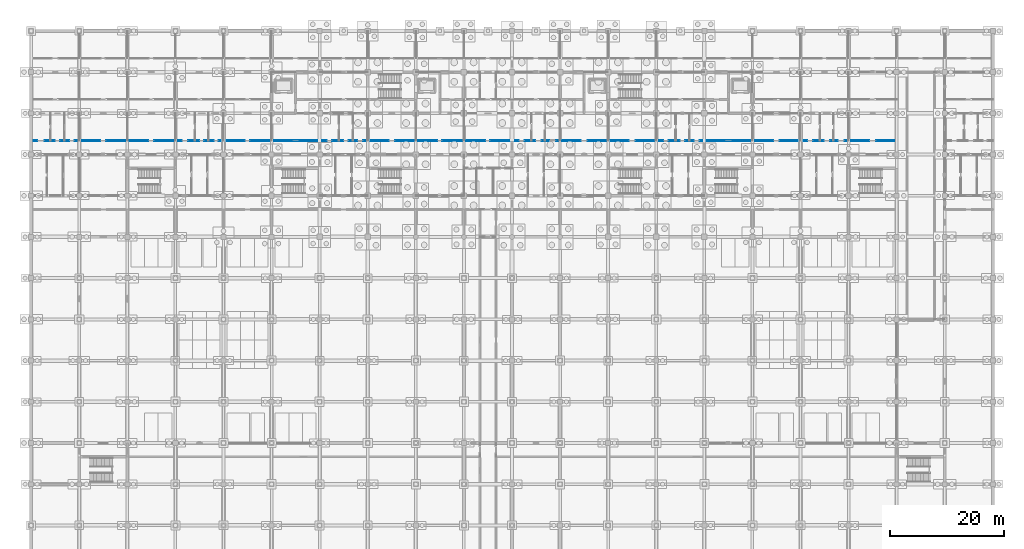
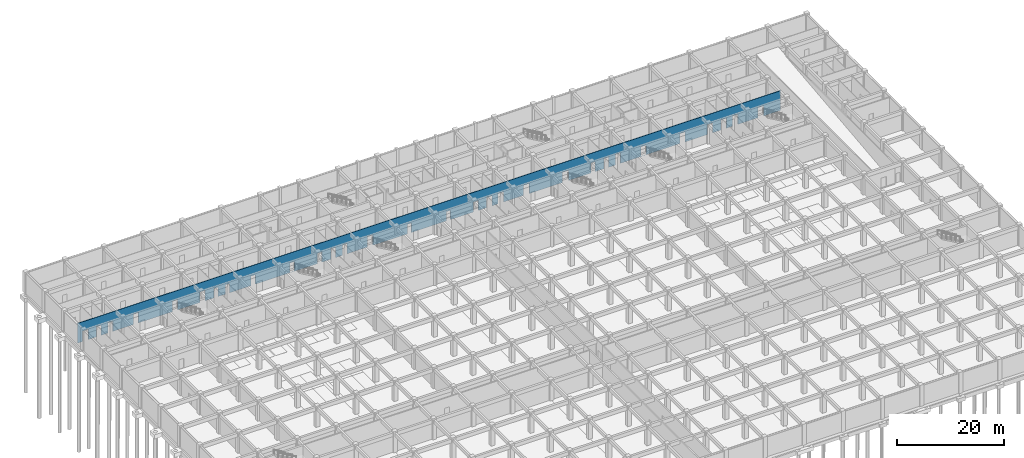
# One storey, part 40 of 85: 1 wall, 30 openings.
"""IFC4 building model written with IfcOpenShell, lengths in metres."""

import ifcopenshell
import ifcopenshell.guid

model = None  # the IFC model being written
_history = None  # IfcOwnerHistory: only IFC2X3 demands one
_inside = {}  # id of a spatial element -> (the spatial element, [elements in it])
_under = {}  # id of a project, library or spatial element -> (it, [spatial elements below it])
_declared = {}  # id of a project -> (the project, [libraries it declares])
_typed = {}  # id of a type object -> (the type object, [elements of that type])
_made_of = {}  # id of a material, layer set ... -> (it, [elements and type objects made of it])


def new_model(schema):
    """Start an empty IFC model of exactly this schema.

    Asked for "IFC4X3", IfcOpenShell would pick the latest addendum, in which some entities
    have other attributes; the version numbers below select the first issue.
    IFC2X3 requires an IfcOwnerHistory on every rooted entity: one is made here for all.
    """
    global model, _history
    if schema == "IFC4X3":
        model = ifcopenshell.file(schema_version=(4, 3, 0, 0))
    else:
        model = ifcopenshell.file(schema=schema)
    _inside.clear()
    _under.clear()
    _declared.clear()
    _typed.clear()
    _made_of.clear()
    _history = None
    if model.schema == "IFC2X3":
        org = make("IfcOrganization", Name="unknown")
        user = make(
            "IfcPersonAndOrganization",
            ThePerson=make("IfcPerson", FamilyName="unknown"),
            TheOrganization=org,
        )
        app = make(
            "IfcApplication",
            ApplicationDeveloper=org,
            Version="unknown",
            ApplicationFullName="unknown",
            ApplicationIdentifier="unknown",
        )
        _history = make(
            "IfcOwnerHistory",
            OwningUser=user,
            OwningApplication=app,
            ChangeAction="ADDED",
            CreationDate=0,
        )
    return model


def make(cls, **values):
    """One entity of the class cls with the attributes given. An attribute that is None is left unset."""
    return model.create_entity(
        cls, **{name: value for name, value in values.items() if value is not None}
    )


def rooted(cls, **values):
    """An entity with a GlobalId (a new one), such as an element, a storey or a relation."""
    return make(cls, GlobalId=ifcopenshell.guid.new(), OwnerHistory=_history, **values)


def si_unit(unit_type, name, prefix=None):
    """IfcSIUnit, for example si_unit("LENGTHUNIT", "METRE", prefix="MILLI")."""
    return make("IfcSIUnit", UnitType=unit_type, Prefix=prefix, Name=name)


def assignment(units):
    """IfcUnitAssignment: the units of a project."""
    return None if units is None else make("IfcUnitAssignment", Units=units)


def point(xyz):
    """IfcCartesianPoint."""
    return None if xyz is None else make("IfcCartesianPoint", Coordinates=xyz)


def direction(xyz):
    """IfcDirection."""
    return None if xyz is None else make("IfcDirection", DirectionRatios=xyz)


def frame(location, z_axis=None, x_axis=None):
    """IfcAxis2Placement3D, a coordinate frame: its origin and axes. An axis left out is left unset."""
    return make(
        "IfcAxis2Placement3D",
        Location=point(location),
        Axis=direction(z_axis),
        RefDirection=direction(x_axis),
    )


def frame_2d(location, x_axis=None):
    """IfcAxis2Placement2D, a coordinate frame in the plane: its origin and x axis."""
    return make(
        "IfcAxis2Placement2D", Location=point(location), RefDirection=direction(x_axis)
    )


def origin():
    """The frame at (0, 0, 0) with its axes left unset."""
    return frame((0.0, 0.0, 0.0))


def place(relative_to, where):
    """IfcLocalPlacement: puts the frame where relative to a parent placement (None: the world)."""
    return make(
        "IfcLocalPlacement", PlacementRelTo=relative_to, RelativePlacement=where
    )


def context(
    kind, dimensions, precision=None, world=None, true_north=None, identifier=None
):
    """IfcGeometricRepresentationContext, for example the 3D "Model" context."""
    return make(
        "IfcGeometricRepresentationContext",
        ContextIdentifier=identifier,
        ContextType=kind,
        CoordinateSpaceDimension=dimensions,
        Precision=precision,
        WorldCoordinateSystem=world,
        TrueNorth=true_north,
    )


def subcontext(parent, identifier, kind, view, scale=None):
    """IfcGeometricRepresentationSubContext, for example "Body" below "Model"."""
    return make(
        "IfcGeometricRepresentationSubContext",
        ContextIdentifier=identifier,
        ContextType=kind,
        ParentContext=parent,
        TargetScale=scale,
        TargetView=view,
    )


def project(units=None, contexts=None):
    """IfcProject with its units and contexts."""
    return rooted(
        "IfcProject",
        Name="project",
        RepresentationContexts=contexts,
        UnitsInContext=assignment(units),
    )


def spatial(cls, under=None, at=None, **own):
    """A site, building, storey or space (cls), placed at a placement, below another one or the project."""
    s = rooted(cls, ObjectPlacement=at, **own)
    if under is not None:
        _under.setdefault(under.id(), (under, []))[1].append(s)
    return s


def profile(cls, at=None, kind="AREA", **sizes):
    """A parametric profile (cls). Its sizes go by their IFC names, for example OverallWidth=200.0."""
    return make(cls, ProfileType=kind, Position=at, **sizes)


def rectangle(**sizes):
    """IfcRectangleProfileDef."""
    return profile("IfcRectangleProfileDef", **sizes)


def extrude(swept, where, along, depth):
    """IfcExtrudedAreaSolid: the profile swept, set in the frame where, extruded along a direction by depth."""
    return make(
        "IfcExtrudedAreaSolid",
        SweptArea=swept,
        Position=where,
        ExtrudedDirection=direction(along),
        Depth=depth,
    )


def shape(context_of_items, identifier, shape_type, items):
    """IfcShapeRepresentation: the items that make up one representation, for example the "Body"."""
    return make(
        "IfcShapeRepresentation",
        ContextOfItems=context_of_items,
        RepresentationIdentifier=identifier,
        RepresentationType=shape_type,
        Items=items,
    )


def material(Name=None, Category=None):
    """IfcMaterial."""
    return make("IfcMaterial", Name=Name, Category=Category)


def layer(
    of_material, thickness, ventilated=None, Name=None, Category=None, Priority=None
):
    """IfcMaterialLayer: one layer of a wall or slab, of a material (None: an air gap)."""
    return make(
        "IfcMaterialLayer",
        Material=of_material,
        LayerThickness=thickness,
        IsVentilated=ventilated,
        Name=Name,
        Category=Category,
        Priority=Priority,
    )


def layer_set(layers, Name=None):
    """IfcMaterialLayerSet."""
    return make("IfcMaterialLayerSet", MaterialLayers=layers, LayerSetName=Name)


def made_of(thing, what):
    """Note that an element or type object is made of a material, layer set ...; save() writes the relation."""
    if what is not None:
        _made_of.setdefault(what.id(), (what, []))[1].append(thing)
    return thing


def type_object(cls, material=None, **own):
    """A type object (cls), such as IfcWallType, which elements share."""
    return made_of(rooted(cls, **own), material)


def element(
    cls,
    number,
    at=None,
    inside=None,
    cuts=None,
    type_object=None,
    material=None,
    context=None,
    identifier="Body",
    shape_type=None,
    held_by="IfcProductDefinitionShape",
    body=None,
    shapes=None,
    **own,
):
    """One element of the class cls, such as IfcWall. Its Tag is "e" and its number.

    at: its placement. inside: the storey or other place that contains it. cuts: it is an
    opening in that element (IfcRelVoidsElement). A single representation is given by context,
    identifier, shape_type and body (its items); several are given by shapes. held_by: the class
    of the entity that holds the representations. save() writes the other relations.
    """
    e = rooted(cls, Tag="e%d" % number, ObjectPlacement=at, **own)
    if body is not None:
        shapes = [shape(context, identifier, shape_type, body)]
    if shapes is not None:
        e.Representation = make(held_by, Representations=shapes)
    if inside is not None:
        _inside.setdefault(inside.id(), (inside, []))[1].append(e)
    if cuts is not None:
        rooted(
            "IfcRelVoidsElement", RelatingBuildingElement=cuts, RelatedOpeningElement=e
        )
    if type_object is not None:
        _typed.setdefault(type_object.id(), (type_object, []))[1].append(e)
    return made_of(e, material)


def aggregate(whole, parts):
    """IfcRelAggregates: a whole, such as a stair, and the parts it consists of."""
    return rooted("IfcRelAggregates", RelatingObject=whole, RelatedObjects=parts)


def save(model, path):
    """Write the relations noted so far, then the file.

    IfcRelAggregates (storeys below a building ...), IfcRelContainedInSpatialStructure (elements
    in a storey), IfcRelDefinesByType, IfcRelAssociatesMaterial and IfcRelDeclares: one each for
    every whole, place, type object, material and project.
    """
    for whole, parts in _under.values():
        aggregate(whole, parts)
    for where, things in _inside.values():
        rooted(
            "IfcRelContainedInSpatialStructure",
            RelatedElements=things,
            RelatingStructure=where,
        )
    for kind, things in _typed.values():
        rooted("IfcRelDefinesByType", RelatedObjects=things, RelatingType=kind)
    for what, things in _made_of.values():
        rooted("IfcRelAssociatesMaterial", RelatedObjects=things, RelatingMaterial=what)
    for by, libraries in _declared.values():
        rooted("IfcRelDeclares", RelatingContext=by, RelatedDefinitions=libraries)
    model.write(path)


model = new_model("IFC4")

# Units and contexts
model_context = context("Model", 3, precision=1e-05, world=origin(), true_north=direction((0.0, 1.0)))
body_context = subcontext(model_context, "Body", "Model", "MODEL_VIEW")
ifc_project = project(units=[si_unit("LENGTHUNIT", "METRE"), si_unit("AREAUNIT", "SQUARE_METRE"), si_unit("VOLUMEUNIT", "CUBIC_METRE"), si_unit("PLANEANGLEUNIT", "RADIAN"), si_unit("MASSUNIT", "GRAM", prefix="KILO")], contexts=[model_context])

# Site, building, storey
site_placement = place(None, origin())
site = spatial("IfcSite", under=ifc_project, at=site_placement, CompositionType="ELEMENT")
building_placement = place(site_placement, origin())
building = spatial("IfcBuilding", under=site, at=building_placement, Name="Chengyuan Square Courthouse", CompositionType="ELEMENT")
storey_placement = place(building_placement, frame((0.0, 0.0, -10.199951171875)))
storey = spatial("IfcBuildingStorey", under=building, at=storey_placement, Name="B02", CompositionType="ELEMENT", Elevation=-10.199951171875)

# Wall, openings
ifc_material = material(Name="Gypsum Plasterboard Acoustic Stud Partition")
ifc_layer = layer(ifc_material, 0.10009765625)
ifc_layer_set = layer_set([ifc_layer], Name="Gypsum Plasterboard Acoustic Stud Partition")
wall_type = type_object("IfcWallType", Name="WL-PT6", PredefinedType="STANDARD", material=ifc_layer_set)
wall_placement = place(storey_placement, frame((0.0400390625, 96.0, 0.0), z_axis=(0.0, 0.0, 1.0), x_axis=(1.0, 0.0, 0.0)))
wall = element("IfcWall", 1, at=wall_placement, inside=storey, type_object=wall_type, Name="Interior Wall WL-B02-I062", PredefinedType="STANDARD", context=body_context, shape_type="SweptSolid", body=[
    extrude(rectangle(XDim=151.159912109375, YDim=0.10009765625, at=frame_2d((75.580078125, 0.0))), origin(), (0.0, 0.0, 1.0), 4.47998046875),
])
opening_1_placement = place(wall_placement, frame((1.0400390625, 0.0, 0.0)))
element("IfcOpeningElement", 2, at=opening_1_placement, cuts=wall, Name="Opening DR-148", PredefinedType="OPENING", context=body_context, shape_type="SweptSolid", body=[
    extrude(rectangle(XDim=1.280029296875, YDim=2.35009765625, at=frame_2d((0.64013671875, 1.175048828125))), frame((0.0, 0.06201171875, 0.0), z_axis=(0.0, -1.0, 0.0), x_axis=(1.0, 0.0, 0.0)), (0.0, 0.0, 1.0), 0.1240234375),
])
opening_2_placement = place(wall_placement, frame((4.090087890625, 0.0, 0.0)))
element("IfcOpeningElement", 3, at=opening_2_placement, cuts=wall, Name="Opening DR-149", PredefinedType="OPENING", context=body_context, shape_type="SweptSolid", body=[
    extrude(rectangle(XDim=0.93994140625, YDim=2.300048828125, at=frame_2d((0.469970703125, 1.14990234375))), frame((0.0, 0.06201171875, 0.0), z_axis=(0.0, -1.0, 0.0), x_axis=(1.0, 0.0, 0.0)), (0.0, 0.0, 1.0), 0.1240234375),
])
opening_3_placement = place(wall_placement, frame((6.570068359375, 0.0, 0.0)))
element("IfcOpeningElement", 4, at=opening_3_placement, cuts=wall, Name="Opening DR-150", PredefinedType="OPENING", context=body_context, shape_type="SweptSolid", body=[
    extrude(rectangle(XDim=0.97998046875, YDim=2.35009765625, at=frame_2d((0.489990234375, 1.175048828125))), frame((0.0, 0.06201171875, 0.0), z_axis=(0.0, -1.0, 0.0), x_axis=(1.0, 0.0, 0.0)), (0.0, 0.0, 1.0), 0.1240234375),
])
opening_4_placement = place(wall_placement, frame((12.050048828125, 0.0, 0.0)))
element("IfcOpeningElement", 5, at=opening_4_placement, cuts=wall, Name="Opening DR-151", PredefinedType="OPENING", context=body_context, shape_type="SweptSolid", body=[
    extrude(rectangle(XDim=1.02001953125, YDim=2.39990234375, at=frame_2d((0.510009765625, 1.199951171875))), frame((0.0, 0.06201171875, 0.0), z_axis=(0.0, -1.0, 0.0), x_axis=(1.0, 0.0, 0.0)), (0.0, 0.0, 1.0), 0.1240234375),
])
opening_5_placement = place(wall_placement, frame((20.429931640625, 0.0, 0.0)))
element("IfcOpeningElement", 6, at=opening_5_placement, cuts=wall, Name="Opening DR-152", PredefinedType="OPENING", context=body_context, shape_type="SweptSolid", body=[
    extrude(rectangle(XDim=1.06005859375, YDim=2.39990234375, at=frame_2d((0.530029296875, 1.199951171875))), frame((0.0, 0.06201171875, 0.0), z_axis=(0.0, -1.0, 0.0), x_axis=(1.0, 0.0, 0.0)), (0.0, 0.0, 1.0), 0.1240234375),
])
opening_6_placement = place(wall_placement, frame((26.2900390625, 0.0, 0.0)))
element("IfcOpeningElement", 7, at=opening_6_placement, cuts=wall, Name="Opening DR-153", PredefinedType="OPENING", context=body_context, shape_type="SweptSolid", body=[
    extrude(rectangle(XDim=1.139892578125, YDim=2.39990234375, at=frame_2d((0.56982421875, 1.199951171875))), frame((0.0, 0.06201171875, 0.0), z_axis=(0.0, -1.0, 0.0), x_axis=(1.0, 0.0, 0.0)), (0.0, 0.0, 1.0), 0.1240234375),
])
opening_7_placement = place(wall_placement, frame((29.31005859375, 0.0, 0.0)))
element("IfcOpeningElement", 8, at=opening_7_placement, cuts=wall, Name="Opening DR-154", PredefinedType="OPENING", context=body_context, shape_type="SweptSolid", body=[
    extrude(rectangle(XDim=0.89990234375, YDim=2.14990234375, at=frame_2d((0.449951171875, 1.074951171875))), frame((0.0, 0.06201171875, 0.0), z_axis=(0.0, -1.0, 0.0), x_axis=(1.0, 0.0, 0.0)), (0.0, 0.0, 1.0), 0.1240234375),
])
opening_8_placement = place(wall_placement, frame((31.830078125, 0.0, 0.0)))
element("IfcOpeningElement", 9, at=opening_8_placement, cuts=wall, Name="Opening DR-155", PredefinedType="OPENING", context=body_context, shape_type="SweptSolid", body=[
    extrude(rectangle(XDim=0.860107421875, YDim=2.10009765625, at=frame_2d((0.43017578125, 1.050048828125))), frame((0.0, 0.06201171875, 0.0), z_axis=(0.0, -1.0, 0.0), x_axis=(1.0, 0.0, 0.0)), (0.0, 0.0, 1.0), 0.1240234375),
])
opening_9_placement = place(wall_placement, frame((37.300048828125, 0.0, 0.0)))
element("IfcOpeningElement", 10, at=opening_9_placement, cuts=wall, Name="Opening DR-156", PredefinedType="OPENING", context=body_context, shape_type="SweptSolid", body=[
    extrude(rectangle(XDim=0.919921875, YDim=2.14990234375, at=frame_2d((0.4599609375, 1.074951171875))), frame((0.0, 0.06201171875, 0.0), z_axis=(0.0, -1.0, 0.0), x_axis=(1.0, 0.0, 0.0)), (0.0, 0.0, 1.0), 0.1240234375),
])
opening_10_placement = place(wall_placement, frame((45.679931640625, 0.0, 0.0)))
element("IfcOpeningElement", 11, at=opening_10_placement, cuts=wall, Name="Opening DR-157", PredefinedType="OPENING", context=body_context, shape_type="SweptSolid", body=[
    extrude(rectangle(XDim=0.9599609375, YDim=2.199951171875, at=frame_2d((0.47998046875, 1.10009765625))), frame((0.0, 0.06201171875, 0.0), z_axis=(0.0, -1.0, 0.0), x_axis=(1.0, 0.0, 0.0)), (0.0, 0.0, 1.0), 0.1240234375),
])
opening_11_placement = place(wall_placement, frame((51.570068359375, 0.0, 0.0)))
element("IfcOpeningElement", 12, at=opening_11_placement, cuts=wall, Name="Opening DR-167", PredefinedType="OPENING", context=body_context, shape_type="SweptSolid", body=[
    extrude(rectangle(XDim=0.97998046875, YDim=2.35009765625, at=frame_2d((0.489990234375, 1.175048828125))), frame((0.0, 0.06201171875, 0.0), z_axis=(0.0, -1.0, 0.0), x_axis=(1.0, 0.0, 0.0)), (0.0, 0.0, 1.0), 0.1240234375),
])
opening_12_placement = place(wall_placement, frame((54.449951171875, 0.0, 0.0)))
element("IfcOpeningElement", 13, at=opening_12_placement, cuts=wall, Name="Opening DR-168", PredefinedType="OPENING", context=body_context, shape_type="SweptSolid", body=[
    extrude(rectangle(XDim=1.02001953125, YDim=2.39990234375, at=frame_2d((0.510009765625, 1.199951171875))), frame((0.0, 0.06201171875, 0.0), z_axis=(0.0, -1.0, 0.0), x_axis=(1.0, 0.0, 0.0)), (0.0, 0.0, 1.0), 0.1240234375),
])
opening_13_placement = place(wall_placement, frame((56.929931640625, 0.0, 0.0)))
element("IfcOpeningElement", 14, at=opening_13_placement, cuts=wall, Name="Opening DR-169", PredefinedType="OPENING", context=body_context, shape_type="SweptSolid", body=[
    extrude(rectangle(XDim=1.06005859375, YDim=2.39990234375, at=frame_2d((0.530029296875, 1.199951171875))), frame((0.0, 0.06201171875, 0.0), z_axis=(0.0, -1.0, 0.0), x_axis=(1.0, 0.0, 0.0)), (0.0, 0.0, 1.0), 0.1240234375),
])
opening_14_placement = place(wall_placement, frame((62.389892578125, 0.0, 0.0)))
element("IfcOpeningElement", 15, at=opening_14_placement, cuts=wall, Name="Opening DR-170", PredefinedType="OPENING", context=body_context, shape_type="SweptSolid", body=[
    extrude(rectangle(XDim=1.139892578125, YDim=2.39990234375, at=frame_2d((0.56982421875, 1.199951171875))), frame((0.0, 0.06201171875, 0.0), z_axis=(0.0, -1.0, 0.0), x_axis=(1.0, 0.0, 0.0)), (0.0, 0.0, 1.0), 0.1240234375),
])
opening_15_placement = place(wall_placement, frame((70.909912109375, 0.0, 0.0)))
element("IfcOpeningElement", 16, at=opening_15_placement, cuts=wall, Name="Opening DR-171", PredefinedType="OPENING", context=body_context, shape_type="SweptSolid", body=[
    extrude(rectangle(XDim=0.89990234375, YDim=2.14990234375, at=frame_2d((0.449951171875, 1.074951171875))), frame((0.0, 0.06201171875, 0.0), z_axis=(0.0, -1.0, 0.0), x_axis=(1.0, 0.0, 0.0)), (0.0, 0.0, 1.0), 0.1240234375),
])
opening_16_placement = place(wall_placement, frame((79.330078125, 0.0, 0.0)))
element("IfcOpeningElement", 17, at=opening_16_placement, cuts=wall, Name="Opening DR-172", PredefinedType="OPENING", context=body_context, shape_type="SweptSolid", body=[
    extrude(rectangle(XDim=0.860107421875, YDim=2.10009765625, at=frame_2d((0.43017578125, 1.050048828125))), frame((0.0, 0.06201171875, 0.0), z_axis=(0.0, -1.0, 0.0), x_axis=(1.0, 0.0, 0.0)), (0.0, 0.0, 1.0), 0.1240234375),
])
opening_17_placement = place(wall_placement, frame((85.10009765625, 0.0, 0.0)))
element("IfcOpeningElement", 18, at=opening_17_placement, cuts=wall, Name="Opening DR-178", PredefinedType="OPENING", context=body_context, shape_type="SweptSolid", body=[
    extrude(rectangle(XDim=1.1201171875, YDim=2.25, at=frame_2d((0.56005859375, 1.125))), frame((0.0, 0.06201171875, 0.0), z_axis=(0.0, -1.0, 0.0), x_axis=(1.0, 0.0, 0.0)), (0.0, 0.0, 1.0), 0.1240234375),
])
opening_18_placement = place(wall_placement, frame((87.97998046875, 0.0, 0.0)))
element("IfcOpeningElement", 19, at=opening_18_placement, cuts=wall, Name="Opening DR-179", PredefinedType="OPENING", context=body_context, shape_type="SweptSolid", body=[
    extrude(rectangle(XDim=1.159912109375, YDim=2.300048828125, at=frame_2d((0.580078125, 1.14990234375))), frame((0.0, 0.06201171875, 0.0), z_axis=(0.0, -1.0, 0.0), x_axis=(1.0, 0.0, 0.0)), (0.0, 0.0, 1.0), 0.1240234375),
])
opening_19_placement = place(wall_placement, frame((90.4599609375, 0.0, 0.0)))
element("IfcOpeningElement", 20, at=opening_19_placement, cuts=wall, Name="Opening DR-180", PredefinedType="OPENING", context=body_context, shape_type="SweptSolid", body=[
    extrude(rectangle(XDim=1.199951171875, YDim=2.35009765625, at=frame_2d((0.60009765625, 1.175048828125))), frame((0.0, 0.06201171875, 0.0), z_axis=(0.0, -1.0, 0.0), x_axis=(1.0, 0.0, 0.0)), (0.0, 0.0, 1.0), 0.1240234375),
])
opening_20_placement = place(wall_placement, frame((95.93994140625, 0.0, 0.0)))
element("IfcOpeningElement", 21, at=opening_20_placement, cuts=wall, Name="Opening DR-181", PredefinedType="OPENING", context=body_context, shape_type="SweptSolid", body=[
    extrude(rectangle(XDim=1.239990234375, YDim=2.300048828125, at=frame_2d((0.6201171875, 1.14990234375))), frame((0.0, 0.06201171875, 0.0), z_axis=(0.0, -1.0, 0.0), x_axis=(1.0, 0.0, 0.0)), (0.0, 0.0, 1.0), 0.1240234375),
])
opening_21_placement = place(wall_placement, frame((104.320068359375, 0.0, 0.0)))
element("IfcOpeningElement", 22, at=opening_21_placement, cuts=wall, Name="Opening DR-182", PredefinedType="OPENING", context=body_context, shape_type="SweptSolid", body=[
    extrude(rectangle(XDim=1.280029296875, YDim=2.35009765625, at=frame_2d((0.64013671875, 1.175048828125))), frame((0.0, 0.06201171875, 0.0), z_axis=(0.0, -1.0, 0.0), x_axis=(1.0, 0.0, 0.0)), (0.0, 0.0, 1.0), 0.1240234375),
])
opening_22_placement = place(wall_placement, frame((110.389892578125, 0.0, 0.0)))
element("IfcOpeningElement", 23, at=opening_22_placement, cuts=wall, Name="Opening DR-183", PredefinedType="OPENING", context=body_context, shape_type="SweptSolid", body=[
    extrude(rectangle(XDim=0.93994140625, YDim=2.300048828125, at=frame_2d((0.469970703125, 1.14990234375))), frame((0.0, 0.06201171875, 0.0), z_axis=(0.0, -1.0, 0.0), x_axis=(1.0, 0.0, 0.0)), (0.0, 0.0, 1.0), 0.1240234375),
])
opening_23_placement = place(wall_placement, frame((113.27001953125, 0.0, 0.0)))
element("IfcOpeningElement", 24, at=opening_23_placement, cuts=wall, Name="Opening DR-184", PredefinedType="OPENING", context=body_context, shape_type="SweptSolid", body=[
    extrude(rectangle(XDim=0.97998046875, YDim=2.35009765625, at=frame_2d((0.489990234375, 1.175048828125))), frame((0.0, 0.06201171875, 0.0), z_axis=(0.0, -1.0, 0.0), x_axis=(1.0, 0.0, 0.0)), (0.0, 0.0, 1.0), 0.1240234375),
])
opening_24_placement = place(wall_placement, frame((115.75, 0.0, 0.0)))
element("IfcOpeningElement", 25, at=opening_24_placement, cuts=wall, Name="Opening DR-185", PredefinedType="OPENING", context=body_context, shape_type="SweptSolid", body=[
    extrude(rectangle(XDim=1.02001953125, YDim=2.39990234375, at=frame_2d((0.510009765625, 1.199951171875))), frame((0.0, 0.06201171875, 0.0), z_axis=(0.0, -1.0, 0.0), x_axis=(1.0, 0.0, 0.0)), (0.0, 0.0, 1.0), 0.1240234375),
])
opening_25_placement = place(wall_placement, frame((121.239990234375, 0.0, 0.0)))
element("IfcOpeningElement", 26, at=opening_25_placement, cuts=wall, Name="Opening DR-193", PredefinedType="OPENING", context=body_context, shape_type="SweptSolid", body=[
    extrude(rectangle(XDim=1.0400390625, YDim=2.199951171875, at=frame_2d((0.52001953125, 1.10009765625))), frame((0.0, 0.06201171875, 0.0), z_axis=(0.0, -1.0, 0.0), x_axis=(1.0, 0.0, 0.0)), (0.0, 0.0, 1.0), 0.1240234375),
])
opening_26_placement = place(wall_placement, frame((129.6201171875, 0.0, 0.0)))
element("IfcOpeningElement", 27, at=opening_26_placement, cuts=wall, Name="Opening DR-194", PredefinedType="OPENING", context=body_context, shape_type="SweptSolid", body=[
    extrude(rectangle(XDim=1.080078125, YDim=2.25, at=frame_2d((0.5400390625, 1.125))), frame((0.0, 0.06201171875, 0.0), z_axis=(0.0, -1.0, 0.0), x_axis=(1.0, 0.0, 0.0)), (0.0, 0.0, 1.0), 0.1240234375),
])
opening_27_placement = place(wall_placement, frame((135.5, 0.0, 0.0)))
element("IfcOpeningElement", 28, at=opening_27_placement, cuts=wall, Name="Opening DR-195", PredefinedType="OPENING", context=body_context, shape_type="SweptSolid", body=[
    extrude(rectangle(XDim=1.1201171875, YDim=2.25, at=frame_2d((0.56005859375, 1.125))), frame((0.0, 0.06201171875, 0.0), z_axis=(0.0, -1.0, 0.0), x_axis=(1.0, 0.0, 0.0)), (0.0, 0.0, 1.0), 0.1240234375),
])
opening_28_placement = place(wall_placement, frame((138.3798828125, 0.0, 0.0)))
element("IfcOpeningElement", 29, at=opening_28_placement, cuts=wall, Name="Opening DR-196", PredefinedType="OPENING", context=body_context, shape_type="SweptSolid", body=[
    extrude(rectangle(XDim=1.159912109375, YDim=2.300048828125, at=frame_2d((0.580078125, 1.14990234375))), frame((0.0, 0.06201171875, 0.0), z_axis=(0.0, -1.0, 0.0), x_axis=(1.0, 0.0, 0.0)), (0.0, 0.0, 1.0), 0.1240234375),
])
opening_29_placement = place(wall_placement, frame((140.860107421875, 0.0, 0.0)))
element("IfcOpeningElement", 30, at=opening_29_placement, cuts=wall, Name="Opening DR-197", PredefinedType="OPENING", context=body_context, shape_type="SweptSolid", body=[
    extrude(rectangle(XDim=1.199951171875, YDim=2.35009765625, at=frame_2d((0.60009765625, 1.175048828125))), frame((0.0, 0.06201171875, 0.0), z_axis=(0.0, -1.0, 0.0), x_axis=(1.0, 0.0, 0.0)), (0.0, 0.0, 1.0), 0.1240234375),
])
opening_30_placement = place(wall_placement, frame((146.340087890625, 0.0, 0.0)))
element("IfcOpeningElement", 31, at=opening_30_placement, cuts=wall, Name="Opening DR-198", PredefinedType="OPENING", context=body_context, shape_type="SweptSolid", body=[
    extrude(rectangle(XDim=1.239990234375, YDim=2.300048828125, at=frame_2d((0.6201171875, 1.14990234375))), frame((0.0, 0.06201171875, 0.0), z_axis=(0.0, -1.0, 0.0), x_axis=(1.0, 0.0, 0.0)), (0.0, 0.0, 1.0), 0.1240234375),
])

save(model, "model.ifc")
